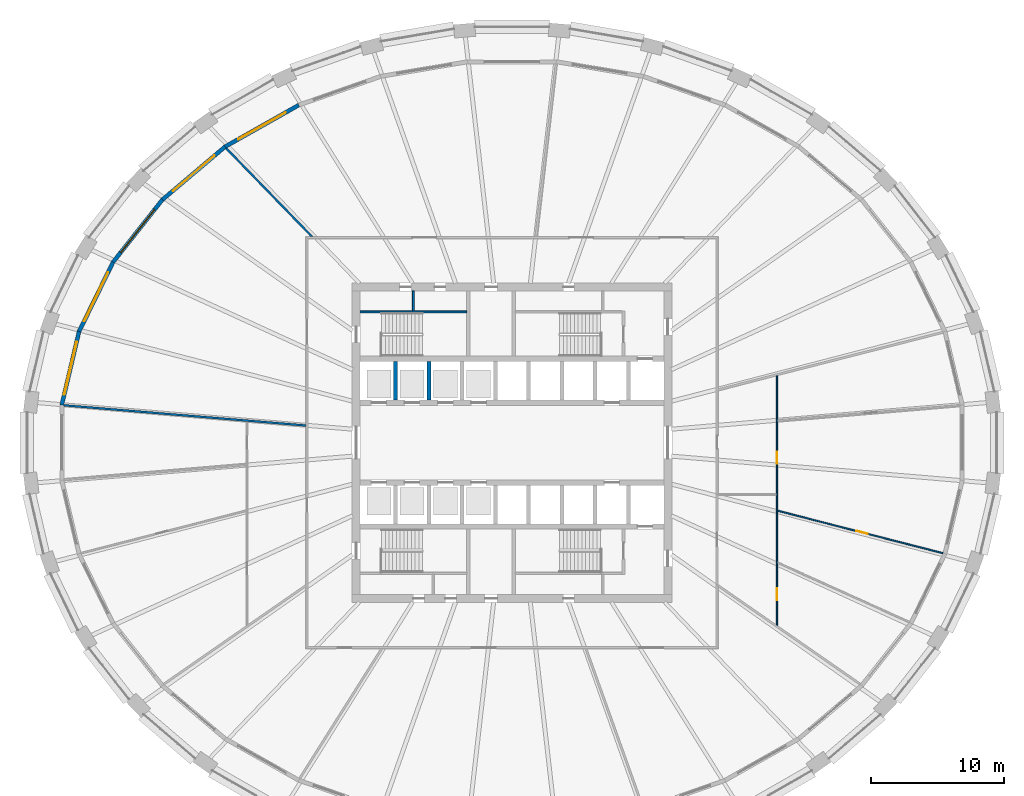
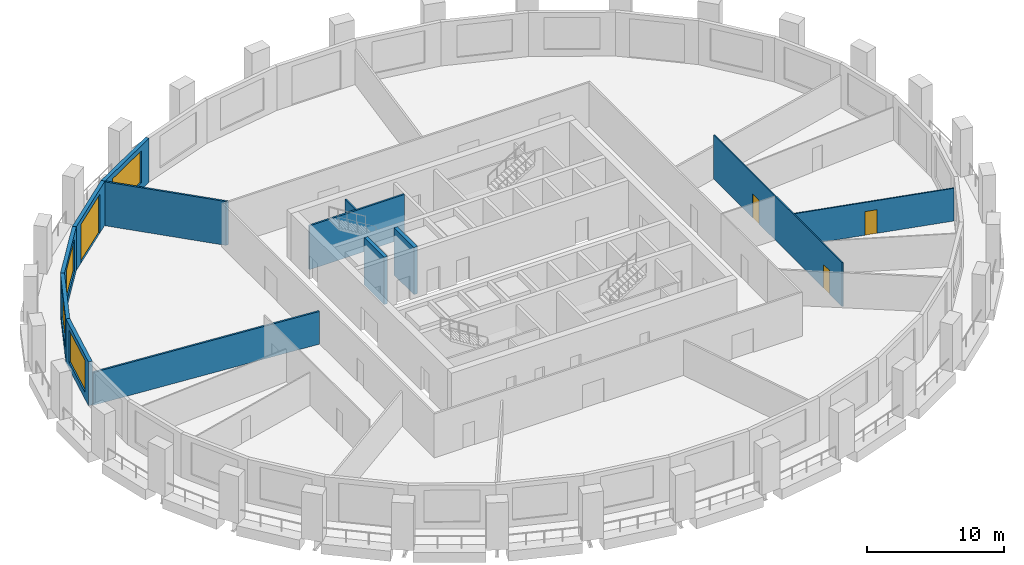
# One storey, part 5 of 11: 13 walls, 4 doors, 4 windows, 8 openings.
"""IFC4 building model written with IfcOpenShell, lengths in metres."""

from ifc_helpers import new_model, si_unit, direction, frame, frame_2d, origin, place, context, subcontext, project, spatial, polyline, rectangle, outline, extrude, material, layer, layer_set, type_object, element, fill, save


model = new_model("IFC4")

# Units and contexts
model_context = context("Model", 3, precision=1e-05, world=origin(), true_north=direction((0.0, 1.0)))
body_context = subcontext(model_context, "Body", "Model", "MODEL_VIEW")
ifc_project = project(units=[si_unit("LENGTHUNIT", "METRE"), si_unit("AREAUNIT", "SQUARE_METRE"), si_unit("VOLUMEUNIT", "CUBIC_METRE"), si_unit("PLANEANGLEUNIT", "RADIAN"), si_unit("MASSUNIT", "GRAM", prefix="KILO")], contexts=[model_context])

# Site, building, storey
site_placement = place(None, origin())
site = spatial("IfcSite", under=ifc_project, at=site_placement, CompositionType="ELEMENT")
building_placement = place(site_placement, origin())
building = spatial("IfcBuilding", under=site, at=building_placement, Name="Halqa Exchange Tower", CompositionType="ELEMENT")
storey_placement = place(building_placement, frame((0.0, 0.0, 82.300048828125)))
storey = spatial("IfcBuildingStorey", under=building, at=storey_placement, Name="L18", CompositionType="ELEMENT", Elevation=82.300048828125)

# Walls
ifc_material_1 = material(Name="Fire-rated gypsum board")
ifc_layer_1 = layer(ifc_material_1, 0.14990234375)
ifc_layer_set_1 = layer_set([ifc_layer_1], Name="Fire-rated gypsum board")
wall_type_1 = type_object("IfcWallType", Name="Fire partition EI 60 150", PredefinedType="PARTITIONING", material=ifc_layer_set_1)
wall_1_placement = place(storey_placement, frame((-33.662353515625, 2.804443359375, 0.0), z_axis=(0.0, 0.0, 1.0), x_axis=(0.996534589799, -0.083179392484, 0.0)))
element("IfcWall", 1, at=wall_1_placement, inside=storey, type_object=wall_type_1, Name="L18-PWL-001", PredefinedType="PARTITIONING", context=body_context, shape_type="SweptSolid", body=[
    extrude(outline(polyline([(18.25634765625, -0.074951171875), (18.25634765625, -0.06884765625), (18.244384765625, 0.074951171875), (16.42041015625, 0.074951171875), (14.596435546875, 0.074951171875), (12.772705078125, 0.074951171875), (10.94873046875, 0.074951171875), (9.124755859375, 0.074951171875), (7.30078125, 0.074951171875), (5.47705078125, 0.074951171875), (3.653076171875, 0.074951171875), (1.8291015625, 0.074951171875), (0.005126953125, 0.074951171875), (0.0, 0.039794921875), (0.0, -0.074951171875), (1.82568359375, -0.074951171875), (3.6513671875, -0.074951171875), (5.476806640625, -0.074951171875), (7.302490234375, -0.074951171875), (9.128173828125, -0.074951171875), (10.953857421875, -0.074951171875), (12.779541015625, -0.074951171875), (14.60498046875, -0.074951171875), (16.4306640625, -0.074951171875), (18.25634765625, -0.074951171875)])), origin(), (0.0, 0.0, 1.0), 2.909912109375),
])
wall_2_placement = place(storey_placement, frame((-14.972412109375, 15.423095703125, 0.0), z_axis=(0.0, 0.0, 1.0), x_axis=(-0.696670635557, 0.717391124529, 0.0)))
element("IfcWall", 2, at=wall_2_placement, inside=storey, type_object=wall_type_1, Name="L18-PWL-009", PredefinedType="PARTITIONING", context=body_context, shape_type="SweptSolid", body=[
    extrude(outline(polyline([(9.29638671875, 0.074951171875), (7.466064453125, 0.074951171875), (5.635986328125, 0.074951171875), (3.8056640625, 0.074951171875), (1.975341796875, 0.074951171875), (0.14501953125, 0.074951171875), (0.0, -0.074462890625), (0.0, -0.074951171875), (1.859375, -0.074951171875), (3.718505859375, -0.074951171875), (5.577880859375, -0.074951171875), (7.43701171875, -0.074951171875), (9.29638671875, -0.074951171875), (9.29638671875, 0.074951171875)])), origin(), (0.0, 0.0, 1.0), 3.89990234375),
])

# Wall, openings, doors
ifc_material_2 = material(Name="Gypsum board")
ifc_layer_2 = layer(ifc_material_2, 0.10009765625)
ifc_layer_set_2 = layer_set([ifc_layer_2], Name="Gypsum board")
wall_type_2 = type_object("IfcWallType", Name="Partition 100 gypsum", PredefinedType="PARTITIONING", material=ifc_layer_set_2)
wall_3_placement = place(storey_placement, frame((19.89990234375, -13.744384765625, 0.0), z_axis=(0.0, 0.0, 1.0), x_axis=(0.0, 1.0, 0.0)))
wall_3 = element("IfcWall", 3, at=wall_3_placement, inside=storey, type_object=wall_type_2, Name="L18-PWL-019", PredefinedType="PARTITIONING", context=body_context, shape_type="SweptSolid", body=[
    extrude(outline(polyline([(0.0, -0.050048828125), (1.55908203125, -0.050048828125), (3.117919921875, -0.050048828125), (4.677001953125, -0.050048828125), (4.677978515625, -0.0478515625), (4.682861328125, -0.050048828125), (6.63134765625, -0.050048828125), (8.579833984375, -0.050048828125), (8.580322265625, -0.048095703125), (8.587646484375, -0.050048828125), (10.2861328125, -0.050048828125), (11.98486328125, -0.050048828125), (13.683349609375, -0.050048828125), (15.382080078125, -0.050048828125), (17.08056640625, -0.050048828125), (18.779296875, -0.050048828125), (18.779296875, -0.04833984375), (18.754150390625, 0.050048828125), (16.984130859375, 0.050048828125), (15.214111328125, 0.050048828125), (13.4443359375, 0.050048828125), (11.67431640625, 0.050048828125), (9.904296875, 0.050048828125), (9.904296875, 0.0498046875), (9.804443359375, 0.0498046875), (9.804443359375, 0.050048828125), (7.857421875, 0.050048828125), (5.91015625, 0.050048828125), (3.963134765625, 0.050048828125), (2.01611328125, 0.050048828125), (0.069091796875, 0.050048828125), (0.0, -0.049560546875), (0.0, -0.050048828125)])), origin(), (0.0, 0.0, 1.0), 3.89990234375),
])
opening_1_placement = place(wall_3_placement, frame((12.179443359375, 0.0, 0.0)))
opening_1 = element("IfcOpeningElement", 4, at=opening_1_placement, cuts=wall_3, Name="Opening 05-14", PredefinedType="OPENING", context=body_context, shape_type="SweptSolid", body=[
    extrude(rectangle(XDim=0.89990234375, YDim=2.10009765625, at=frame_2d((0.449951171875, 1.050048828125))), frame((0.0, 0.06201171875, 0.0), z_axis=(0.0, -1.0, 0.0), x_axis=(1.0, 0.0, 0.0)), (0.0, 0.0, 1.0), 0.1240234375),
])
opening_2_placement = place(wall_3_placement, frame((1.8994140625, 0.0, 0.0)))
opening_2 = element("IfcOpeningElement", 5, at=opening_2_placement, cuts=wall_3, Name="Opening 05-15", PredefinedType="OPENING", context=body_context, shape_type="SweptSolid", body=[
    extrude(rectangle(XDim=0.89990234375, YDim=2.10009765625, at=frame_2d((0.449951171875, 1.050048828125))), frame((0.0, 0.06201171875, 0.0), z_axis=(0.0, -1.0, 0.0), x_axis=(1.0, 0.0, 0.0)), (0.0, 0.0, 1.0), 0.1240234375),
])
ifc_material_3 = material(Name="Timber door leaf", Category="wood")
door_type_1 = type_object("IfcDoorType", Name="Door 900 x 2100", OperationType="SINGLE_SWING_LEFT", PredefinedType="DOOR", material=ifc_material_3)
door_1_placement = place(opening_1_placement, origin())
door_1 = element("IfcDoor", 6, at=door_1_placement, inside=storey, type_object=door_type_1, Name="L18-IDR-014", OperationType="SINGLE_SWING_RIGHT", OverallHeight=2.10009765625, OverallWidth=0.89990234375, PredefinedType="DOOR", context=body_context, shape_type="SweptSolid", body=[
    extrude(rectangle(XDim=0.89990234375, YDim=2.10009765625, at=frame_2d((0.449951171875, 1.050048828125))), frame((0.0, 0.02490234375, 0.0), z_axis=(0.0, -1.0, 0.0), x_axis=(1.0, 0.0, 0.0)), (0.0, 0.0, 1.0), 0.050048828125),
])
fill(opening_1, door_1)
door_2_placement = place(opening_2_placement, origin())
door_2 = element("IfcDoor", 7, at=door_2_placement, inside=storey, type_object=door_type_1, Name="L18-IDR-015", OperationType="SINGLE_SWING_RIGHT", OverallHeight=2.10009765625, OverallWidth=0.89990234375, PredefinedType="DOOR", context=body_context, shape_type="SweptSolid", body=[
    extrude(rectangle(XDim=0.89990234375, YDim=2.10009765625, at=frame_2d((0.449951171875, 1.050048828125))), frame((0.0, 0.02490234375, 0.0), z_axis=(0.0, -1.0, 0.0), x_axis=(1.0, 0.0, 0.0)), (0.0, 0.0, 1.0), 0.050048828125),
])
fill(opening_2, door_2)

# Wall, opening, door
wall_4_placement = place(storey_placement, frame((19.937744140625, -5.109619140625, 0.0), z_axis=(0.0, 0.0, 1.0), x_axis=(0.96855855203, -0.248785713594, 0.0)))
wall_4 = element("IfcWall", 8, at=wall_4_placement, inside=storey, type_object=wall_type_2, Name="L18-PWL-021", PredefinedType="PARTITIONING", context=body_context, shape_type="SweptSolid", body=[
    extrude(outline(polyline([(0.025390625, -0.050048828125), (1.854736328125, -0.050048828125), (3.683837890625, -0.050048828125), (5.512939453125, -0.050048828125), (7.342041015625, -0.050048828125), (9.171142578125, -0.050048828125), (11.000244140625, -0.050048828125), (12.829345703125, -0.050048828125), (12.838623046875, -0.0048828125), (12.838623046875, 0.050048828125), (11.004638671875, 0.050048828125), (9.17041015625, 0.050048828125), (7.33642578125, 0.050048828125), (5.502197265625, 0.050048828125), (3.668212890625, 0.050048828125), (1.833984375, 0.050048828125), (0.0, 0.050048828125), (0.0, 0.04931640625), (0.025390625, -0.050048828125)])), origin(), (0.0, 0.0, 1.0), 2.909912109375),
])
opening_3_placement = place(wall_4_placement, frame((6.103271484375, 0.0, 0.0)))
opening_3 = element("IfcOpeningElement", 9, at=opening_3_placement, cuts=wall_4, Name="Opening 05-16", PredefinedType="OPENING", context=body_context, shape_type="SweptSolid", body=[
    extrude(rectangle(XDim=0.89990234375, YDim=2.10009765625, at=frame_2d((0.449951171875, 1.050048828125))), frame((0.0, 0.06201171875, 0.0), z_axis=(0.0, -1.0, 0.0), x_axis=(1.0, 0.0, 0.0)), (0.0, 0.0, 1.0), 0.1240234375),
])
door_3_placement = place(opening_3_placement, frame((0.89990234375, 0.0, 0.0), z_axis=(0.0, 0.0, 1.0), x_axis=(-1.0, 0.0, 0.0)))
door_3 = element("IfcDoor", 10, at=door_3_placement, inside=storey, type_object=door_type_1, Name="L18-IDR-016", OperationType="SINGLE_SWING_LEFT", OverallHeight=2.10009765625, OverallWidth=0.89990234375, PredefinedType="DOOR", context=body_context, shape_type="SweptSolid", body=[
    extrude(rectangle(XDim=0.89990234375, YDim=2.10009765625, at=frame_2d((0.449951171875, 1.050048828125))), frame((0.0, 0.02490234375, 0.0), z_axis=(0.0, -1.0, 0.0), x_axis=(1.0, 0.0, 0.0)), (0.0, 0.0, 1.0), 0.050048828125),
])
fill(opening_3, door_3)

# Walls
ifc_layer_3 = layer(ifc_material_2, 0.14990234375)
ifc_layer_set_3 = layer_set([ifc_layer_3], Name="Gypsum board")
wall_type_3 = type_object("IfcWallType", Name="Penthouse riser wall 150 gypsum", PredefinedType="PARTITIONING", material=ifc_layer_set_3)
wall_5_placement = place(storey_placement, frame((-7.39990234375, 9.89990234375, 0.0), z_axis=(0.0, 0.0, 1.0), x_axis=(0.0, 1.0, 0.0)))
element("IfcWall", 11, at=wall_5_placement, inside=storey, type_object=wall_type_3, Name="Partition W7.400 N", PredefinedType="PARTITIONING", context=body_context, shape_type="SweptSolid", body=[
    extrude(rectangle(XDim=1.5, YDim=0.14990234375, at=frame_2d((0.75, 0.0))), origin(), (0.0, 0.0, 1.0), 3.89990234375),
])
ifc_material_4 = material(Name="Concrete C60/75", Category="concrete")
ifc_layer_4 = layer(ifc_material_4, 0.300048828125)
ifc_layer_set_4 = layer_set([ifc_layer_4], Name="Concrete C60/75")
wall_type_4 = type_object("IfcWallType", Name="RC core wall 300", PredefinedType="SHEAR", material=ifc_layer_set_4)
for number, where, z_axis, x_axis, name in (
    (12, (-8.75, 3.199951171875, 0.0), (0.0, 0.0, 1.0), (0.0, 1.0, 0.0), "Shaft divider N1"),
    (13, (-6.25, 3.199951171875, 0.0), (0.0, 0.0, 1.0), (0.0, 1.0, 0.0), "Shaft divider N2"),
):
    element("IfcWall", number, at=place(storey_placement, frame(where, z_axis=z_axis, x_axis=x_axis)), inside=storey, type_object=wall_type_4, Name=name, PredefinedType="SHEAR", context=body_context, shape_type="SweptSolid", body=[
        extrude(rectangle(XDim=2.900146484375, YDim=0.300048828125, at=frame_2d((1.4501953125, 0.0))), origin(), (0.0, 0.0, 1.0), 4.199951171875),
    ])
ifc_material_5 = material(Name="Concrete C30/37", Category="concrete")
ifc_layer_5 = layer(ifc_material_5, 0.14990234375)
ifc_layer_set_5 = layer_set([ifc_layer_5], Name="Concrete C30/37")
wall_type_5 = type_object("IfcWallType", Name="RC stair wall 150 C30/37", PredefinedType="SHEAR", material=ifc_layer_set_5)
wall_6_placement = place(storey_placement, frame((-11.39990234375, 9.824951171875, 0.0), z_axis=(0.0, 0.0, 1.0), x_axis=(1.0, 0.0, 0.0)))
element("IfcWall", 14, at=wall_6_placement, inside=storey, type_object=wall_type_5, Name="Stair ST1 north wall N", PredefinedType="SHEAR", context=body_context, shape_type="SweptSolid", body=[
    extrude(rectangle(XDim=8.0, YDim=0.14990234375, at=frame_2d((4.0, 0.0))), origin(), (0.0, 0.0, 1.0), 3.89990234375),
])

# Wall, opening, window
ifc_material_6 = material(Name="Limestone cladding", Category="masonry")
ifc_layer_6 = layer(ifc_material_6, 0.0400390625)
ifc_material_7 = material(Name="Ventilated cavity")
ifc_layer_7 = layer(ifc_material_7, 0.030029296875, ventilated=True)
ifc_material_8 = material(Name="Mineral wool insulation")
ifc_layer_8 = layer(ifc_material_8, 0.10009765625)
ifc_layer_9 = layer(ifc_material_5, 0.10009765625)
ifc_material_9 = material(Name="Internal plaster")
ifc_layer_10 = layer(ifc_material_9, 0.030029296875)
ifc_layer_set_6 = layer_set([ifc_layer_6, ifc_layer_7, ifc_layer_8, ifc_layer_9, ifc_layer_10], Name="Stone-faced insulated wall 300")
wall_type_6 = type_object("IfcWallType", Name="Stone-faced insulated wall 300", PredefinedType="STANDARD", material=ifc_layer_set_6)
wall_7_placement = place(storey_placement, frame((-16.01025390625, 25.35888671875, 0.0), z_axis=(0.0, 0.0, 1.0), x_axis=(-0.870710061474, -0.491796694629, 0.0)))
wall_7 = element("IfcWall", 15, at=wall_7_placement, inside=storey, type_object=wall_type_6, Name="Glass-line wall 11", PredefinedType="STANDARD", context=body_context, shape_type="SweptSolid", body=[
    extrude(outline(polyline([(-0.013427734375, -0.14990234375), (6.374755859375, -0.14990234375), (6.346435546875, 0.14990234375), (0.013427734375, 0.14990234375), (-0.013427734375, -0.14990234375)])), origin(), (0.0, 0.0, 1.0), 3.89990234375),
])
opening_4_placement = place(wall_7_placement, frame((1.13037109375, 0.0, 0.60009765625)))
opening_4 = element("IfcOpeningElement", 16, at=opening_4_placement, cuts=wall_7, Name="Opening W-F1-11", PredefinedType="OPENING", context=body_context, shape_type="SweptSolid", body=[
    extrude(rectangle(XDim=4.10009765625, YDim=2.85009765625, at=frame_2d((2.050048828125, 1.425048828125))), frame((0.0, 0.162109375, 0.0), z_axis=(0.0, -1.0, 0.0), x_axis=(1.0, 0.0, 0.0)), (0.0, 0.0, 1.0), 0.323974609375),
])
ifc_material_10 = material(Name="Clear low-emissivity glass in aluminium frame", Category="aluminium")
window_type = type_object("IfcWindowType", Name="Fixed clear glazed window 4100 x 2850", PartitioningType="TRIPLE_PANEL_VERTICAL", PredefinedType="WINDOW", material=ifc_material_10)
window_1_placement = place(opening_4_placement, origin())
window_1 = element("IfcWindow", 17, at=window_1_placement, inside=storey, type_object=window_type, Name="Window 1", OverallHeight=2.85009765625, OverallWidth=4.10009765625, PartitioningType="TRIPLE_PANEL_VERTICAL", PredefinedType="WINDOW", context=body_context, shape_type="SweptSolid", body=[
    extrude(rectangle(XDim=4.10009765625, YDim=2.85009765625, at=frame_2d((2.050048828125, 1.425048828125))), frame((0.0, 0.030029296875, 0.0), z_axis=(0.0, -1.0, 0.0), x_axis=(1.0, 0.0, 0.0)), (0.0, 0.0, 1.0), 0.06005859375),
])
fill(opening_4, window_1)

# Wall, opening, door
wall_8_placement = place(storey_placement, frame((-21.548583984375, 22.230712890625, 0.0), z_axis=(0.0, 0.0, 1.0), x_axis=(-0.763693886759, -0.645578536916, 0.0)))
wall_8 = element("IfcWall", 18, at=wall_8_placement, inside=storey, type_object=wall_type_6, Name="Glass-line wall 12", PredefinedType="STANDARD", context=body_context, shape_type="SweptSolid", body=[
    extrude(outline(polyline([(-0.01416015625, -0.14990234375), (6.18505859375, -0.14990234375), (6.15478515625, 0.14990234375), (0.01416015625, 0.14990234375), (-0.01416015625, -0.14990234375)])), origin(), (0.0, 0.0, 1.0), 3.89990234375),
])
opening_5_placement = place(wall_8_placement, frame((1.034912109375, 0.0, 0.0)))
opening_5 = element("IfcOpeningElement", 19, at=opening_5_placement, cuts=wall_8, Name="Opening LG-F1-03", PredefinedType="OPENING", context=body_context, shape_type="SweptSolid", body=[
    extrude(rectangle(XDim=4.10009765625, YDim=3.449951171875, at=frame_2d((2.050048828125, 1.72509765625))), frame((0.0, 0.162109375, 0.0), z_axis=(0.0, -1.0, 0.0), x_axis=(1.0, 0.0, 0.0)), (0.0, 0.0, 1.0), 0.323974609375),
])
door_type_2 = type_object("IfcDoorType", Name="Glazed sliding loggia door 4100 x 3450", OperationType="DOUBLE_DOOR_SLIDING", PredefinedType="DOOR", material=ifc_material_10)
door_4_placement = place(opening_5_placement, origin())
door_4 = element("IfcDoor", 20, at=door_4_placement, inside=storey, type_object=door_type_2, Name="Loggia door 3", OperationType="DOUBLE_DOOR_SLIDING", OverallHeight=3.449951171875, OverallWidth=4.10009765625, PredefinedType="DOOR", context=body_context, shape_type="SweptSolid", body=[
    extrude(rectangle(XDim=4.10009765625, YDim=3.449951171875, at=frame_2d((2.050048828125, 1.72509765625))), frame((0.0, 0.02490234375, 0.0), z_axis=(0.0, -1.0, 0.0), x_axis=(1.0, 0.0, 0.0)), (0.0, 0.0, 1.0), 0.050048828125),
])
fill(opening_5, door_4)

# Wall, opening, window
wall_9_placement = place(storey_placement, frame((-26.260498046875, 18.24755859375, 0.0), z_axis=(0.0, 0.0, 1.0), x_axis=(-0.620093447965, -0.784527957303, 0.0)))
wall_9 = element("IfcWall", 21, at=wall_9_placement, inside=storey, type_object=wall_type_6, Name="Glass-line wall 13", PredefinedType="STANDARD", context=body_context, shape_type="SweptSolid", body=[
    extrude(outline(polyline([(-0.01513671875, -0.14990234375), (5.9892578125, -0.14990234375), (5.95703125, 0.14990234375), (0.01513671875, 0.14990234375), (-0.01513671875, -0.14990234375)])), origin(), (0.0, 0.0, 1.0), 3.89990234375),
])
opening_6_placement = place(wall_9_placement, frame((0.9365234375, 0.0, 0.60009765625)))
opening_6 = element("IfcOpeningElement", 22, at=opening_6_placement, cuts=wall_9, Name="Opening W-F1-13", PredefinedType="OPENING", context=body_context, shape_type="SweptSolid", body=[
    extrude(rectangle(XDim=4.10009765625, YDim=2.85009765625, at=frame_2d((2.050048828125, 1.425048828125))), frame((0.0, 0.162109375, 0.0), z_axis=(0.0, -1.0, 0.0), x_axis=(1.0, 0.0, 0.0)), (0.0, 0.0, 1.0), 0.323974609375),
])
window_2_placement = place(opening_6_placement, origin())
window_2 = element("IfcWindow", 23, at=window_2_placement, inside=storey, type_object=window_type, Name="Window 1", OverallHeight=2.85009765625, OverallWidth=4.10009765625, PartitioningType="TRIPLE_PANEL_VERTICAL", PredefinedType="WINDOW", context=body_context, shape_type="SweptSolid", body=[
    extrude(rectangle(XDim=4.10009765625, YDim=2.85009765625, at=frame_2d((2.050048828125, 1.425048828125))), frame((0.0, 0.030029296875, 0.0), z_axis=(0.0, -1.0, 0.0), x_axis=(1.0, 0.0, 0.0)), (0.0, 0.0, 1.0), 0.06005859375),
])
fill(opening_6, window_2)

wall_10_placement = place(storey_placement, frame((-29.96435546875, 13.5615234375, 0.0), z_axis=(0.0, 0.0, 1.0), x_axis=(-0.440027465772, -0.897984314655, 0.0)))
wall_10 = element("IfcWall", 24, at=wall_10_placement, inside=storey, type_object=wall_type_6, Name="Glass-line wall 14", PredefinedType="STANDARD", context=body_context, shape_type="SweptSolid", body=[
    extrude(outline(polyline([(-0.01611328125, -0.14990234375), (5.817626953125, -0.14990234375), (5.783935546875, 0.14990234375), (0.01611328125, 0.14990234375), (-0.01611328125, -0.14990234375)])), origin(), (0.0, 0.0, 1.0), 3.89990234375),
])
opening_7_placement = place(wall_10_placement, frame((0.850341796875, 0.0, 0.60009765625)))
opening_7 = element("IfcOpeningElement", 25, at=opening_7_placement, cuts=wall_10, Name="Opening W-F1-14", PredefinedType="OPENING", context=body_context, shape_type="SweptSolid", body=[
    extrude(rectangle(XDim=4.10009765625, YDim=2.85009765625, at=frame_2d((2.050048828125, 1.425048828125))), frame((0.0, 0.162109375, 0.0), z_axis=(0.0, -1.0, 0.0), x_axis=(1.0, 0.0, 0.0)), (0.0, 0.0, 1.0), 0.323974609375),
])
window_3_placement = place(opening_7_placement, origin())
window_3 = element("IfcWindow", 26, at=window_3_placement, inside=storey, type_object=window_type, Name="Window 1", OverallHeight=2.85009765625, OverallWidth=4.10009765625, PartitioningType="TRIPLE_PANEL_VERTICAL", PredefinedType="WINDOW", context=body_context, shape_type="SweptSolid", body=[
    extrude(rectangle(XDim=4.10009765625, YDim=2.85009765625, at=frame_2d((2.050048828125, 1.425048828125))), frame((0.0, 0.030029296875, 0.0), z_axis=(0.0, -1.0, 0.0), x_axis=(1.0, 0.0, 0.0)), (0.0, 0.0, 1.0), 0.06005859375),
])
fill(opening_7, window_3)

wall_11_placement = place(storey_placement, frame((-32.516845703125, 8.3525390625, 0.0), z_axis=(0.0, 0.0, 1.0), x_axis=(-0.229058489262, -0.97341266095, 0.0)))
wall_11 = element("IfcWall", 27, at=wall_11_placement, inside=storey, type_object=wall_type_6, Name="Glass-line wall 15", PredefinedType="STANDARD", context=body_context, shape_type="SweptSolid", body=[
    extrude(outline(polyline([(-0.016845703125, -0.14990234375), (5.700439453125, -0.14990234375), (5.665771484375, 0.14990234375), (0.016845703125, 0.14990234375), (-0.016845703125, -0.14990234375)])), origin(), (0.0, 0.0, 1.0), 3.89990234375),
])
opening_8_placement = place(wall_11_placement, frame((0.79150390625, 0.0, 0.60009765625)))
opening_8 = element("IfcOpeningElement", 28, at=opening_8_placement, cuts=wall_11, Name="Opening W-F1-15", PredefinedType="OPENING", context=body_context, shape_type="SweptSolid", body=[
    extrude(rectangle(XDim=4.10009765625, YDim=2.85009765625, at=frame_2d((2.050048828125, 1.425048828125))), frame((0.0, 0.162109375, 0.0), z_axis=(0.0, -1.0, 0.0), x_axis=(1.0, 0.0, 0.0)), (0.0, 0.0, 1.0), 0.323974609375),
])
window_4_placement = place(opening_8_placement, origin())
window_4 = element("IfcWindow", 29, at=window_4_placement, inside=storey, type_object=window_type, Name="Window 1", OverallHeight=2.85009765625, OverallWidth=4.10009765625, PartitioningType="TRIPLE_PANEL_VERTICAL", PredefinedType="WINDOW", context=body_context, shape_type="SweptSolid", body=[
    extrude(rectangle(XDim=4.10009765625, YDim=2.85009765625, at=frame_2d((2.050048828125, 1.425048828125))), frame((0.0, 0.030029296875, 0.0), z_axis=(0.0, -1.0, 0.0), x_axis=(1.0, 0.0, 0.0)), (0.0, 0.0, 1.0), 0.06005859375),
])
fill(opening_8, window_4)

save(model, "model.ifc")
